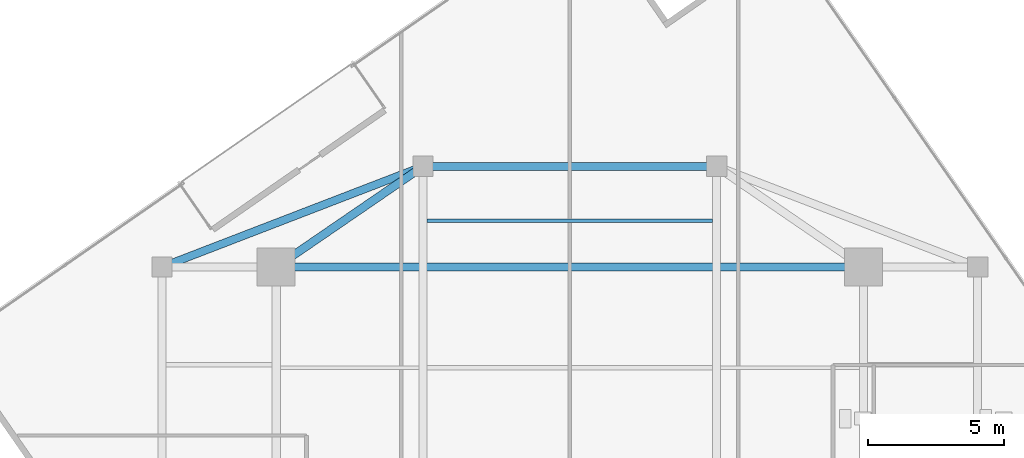
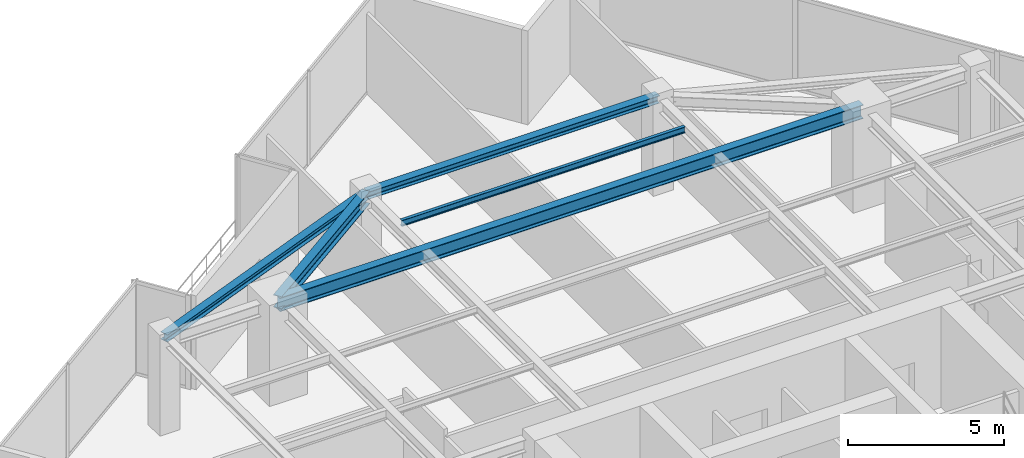
# One storey, part 13 of 21: 5 beams.
"""IFC4 building model written with IfcOpenShell, lengths in metres."""

from ifc_helpers import new_model, si_unit, direction, frame, origin, origin_2d, place, context, subcontext, project, spatial, i_section, extrude, source, transform, mapped, material, material_profile, profile_set, type_object, type_shapes, element, save


model = new_model("IFC4")

# Units and contexts
model_context = context("Model", 3, precision=1e-05, world=origin(), true_north=direction((0.0, 1.0)))
body_context = subcontext(model_context, "Body", "Model", "MODEL_VIEW")
ifc_project = project(units=[si_unit("LENGTHUNIT", "METRE"), si_unit("AREAUNIT", "SQUARE_METRE"), si_unit("VOLUMEUNIT", "CUBIC_METRE"), si_unit("PLANEANGLEUNIT", "RADIAN"), si_unit("MASSUNIT", "GRAM", prefix="KILO")], contexts=[model_context])

# Site, building, storey
site_placement = place(None, origin())
site = spatial("IfcSite", under=ifc_project, at=site_placement, CompositionType="ELEMENT")
building_placement = place(site_placement, origin())
building = spatial("IfcBuilding", under=site, at=building_placement, Name="Krantzveldt Concourse Tower", CompositionType="ELEMENT")
storey_placement = place(building_placement, frame((0.0, 0.0, 279.25)))
storey = spatial("IfcBuildingStorey", under=building, at=storey_placement, Name="L68", CompositionType="ELEMENT", Elevation=279.25)

# Beams
ifc_material = material(Name="Steel S355JR", Category="steel")
ifc_material_profile_1 = material_profile(ifc_material, i_section(OverallWidth=0.300048828125, OverallDepth=0.489990234375, WebThickness=0.011962890625, FlangeThickness=0.02294921875, FilletRadius=0.027099609375, at=origin_2d()), Name="Steel S355JR", Category="steel")
ifc_profile_set_1 = profile_set([ifc_material_profile_1], Name="Steel S355JR - HEA 500")
beam_type_1 = type_object("IfcBeamType", Name="BM-B-HEA500", PredefinedType="BEAM", material=ifc_profile_set_1)
shared_shape_1 = source(origin(), body_context, "Body", "SweptSolid", [
    extrude(i_section(OverallWidth=0.300048828125, OverallDepth=0.489990234375, WebThickness=0.011962890625, FlangeThickness=0.02294921875, FilletRadius=0.027099609375, at=origin_2d()), origin(), (0.0, 0.0, 1.0), 6.546142578125),
])
type_shapes(beam_type_1, [shared_shape_1])
beam_1_placement = place(storey_placement, frame((25.199951171875, 37.5, 3.425048828125), z_axis=(0.824942999484, 0.565215930068, 0.0), x_axis=(-0.565215930068, 0.824942999484, 0.0)))
element("IfcBeam", 1, at=beam_1_placement, inside=storey, type_object=beam_type_1, Name="L68 Tower Girder BR-RL4", PredefinedType="BEAM", context=body_context, shape_type="MappedRepresentation", body=[
    mapped(shared_shape_1, transform((0.0, 0.0, 0.0), x_axis=(1.0, 0.0, 0.0), y_axis=(0.0, 1.0, 0.0), z_axis=(0.0, 0.0, 1.0), scale=1.0)),
])
ifc_material_profile_2 = material_profile(ifc_material, i_section(OverallWidth=0.300048828125, OverallDepth=0.5400390625, WebThickness=0.012451171875, FlangeThickness=0.02392578125, FilletRadius=0.027099609375, at=origin_2d()), Name="Steel S355JR", Category="steel")
ifc_profile_set_2 = profile_set([ifc_material_profile_2], Name="Steel S355JR - HEA 550")
beam_type_2 = type_object("IfcBeamType", Name="BM-B-HEA550", PredefinedType="BEAM", material=ifc_profile_set_2)
shared_shape_2 = source(origin(), body_context, "Body", "SweptSolid", [
    extrude(i_section(OverallWidth=0.300048828125, OverallDepth=0.5400390625, WebThickness=0.012451171875, FlangeThickness=0.02392578125, FilletRadius=0.027099609375, at=origin_2d()), origin(), (0.0, 0.0, 1.0), 21.60009765625),
])
type_shapes(beam_type_2, [shared_shape_2])
beam_2_placement = place(storey_placement, frame((25.199951171875, 37.5, 3.39990234375), z_axis=(1.0, 0.0, 0.0), x_axis=(0.0, 1.0, 0.0)))
element("IfcBeam", 2, at=beam_2_placement, inside=storey, type_object=beam_type_2, Name="L68 Tower Girder BG-MN", PredefinedType="BEAM", context=body_context, shape_type="MappedRepresentation", body=[
    mapped(shared_shape_2, transform((0.0, 0.0, 0.0), x_axis=(1.0, 0.0, 0.0), y_axis=(0.0, 1.0, 0.0), z_axis=(0.0, 0.0, 1.0), scale=1.0)),
])
ifc_material_profile_3 = material_profile(ifc_material, i_section(OverallWidth=0.2900390625, OverallDepth=0.2900390625, WebThickness=0.008544921875, FlangeThickness=0.013916015625, FilletRadius=0.027099609375, at=origin_2d()), Name="Steel S355JR", Category="steel")
ifc_profile_set_3 = profile_set([ifc_material_profile_3], Name="Steel S355JR - HEA 300")
beam_type_3 = type_object("IfcBeamType", Name="BM-SP-HEA300", PredefinedType="SPANDREL", material=ifc_profile_set_3)
shared_shape_3 = source(origin(), body_context, "Body", "SweptSolid", [
    extrude(i_section(OverallWidth=0.2900390625, OverallDepth=0.2900390625, WebThickness=0.008544921875, FlangeThickness=0.013916015625, FilletRadius=0.027099609375, at=origin_2d()), origin(), (0.0, 0.0, 1.0), 10.288330078125),
])
beam_3_placement = place(storey_placement, frame((21.0, 37.5, 3.52490234375), z_axis=(0.933097690408, 0.359622997257, 0.0), x_axis=(-0.359622997257, 0.933097690408, 0.0)))
element("IfcBeam", 3, at=beam_3_placement, inside=storey, type_object=beam_type_3, Name="L68 Tower Girder SP-R03", PredefinedType="SPANDREL", context=body_context, shape_type="MappedRepresentation", body=[
    mapped(shared_shape_3, transform((0.0, 0.0, 0.0), x_axis=(1.0, 0.0, 0.0), y_axis=(0.0, 1.0, 0.0), z_axis=(0.0, 0.0, 1.0), scale=1.0)),
])
shared_shape_4 = source(origin(), body_context, "Body", "SweptSolid", [
    extrude(i_section(OverallWidth=0.2900390625, OverallDepth=0.2900390625, WebThickness=0.008544921875, FlangeThickness=0.013916015625, FilletRadius=0.027099609375, at=origin_2d()), origin(), (0.0, 0.0, 1.0), 10.7998046875),
])
type_shapes(beam_type_3, [shared_shape_3, shared_shape_4])
beam_4_placement = place(storey_placement, frame((30.60009765625, 41.199951171875, 3.52490234375), z_axis=(1.0, 0.0, 0.0), x_axis=(0.0, 1.0, 0.0)))
element("IfcBeam", 4, at=beam_4_placement, inside=storey, type_object=beam_type_3, Name="L68 Tower Girder SP-R04", PredefinedType="SPANDREL", context=body_context, shape_type="MappedRepresentation", body=[
    mapped(shared_shape_4, transform((0.0, 0.0, 0.0), x_axis=(1.0, 0.0, 0.0), y_axis=(0.0, 1.0, 0.0), z_axis=(0.0, 0.0, 1.0), scale=1.0)),
])
ifc_material_profile_4 = material_profile(ifc_material, i_section(OverallWidth=0.1201171875, OverallDepth=0.239990234375, WebThickness=0.006103515625, FlangeThickness=0.009765625, FilletRadius=0.014892578125, at=origin_2d()), Name="Steel S355JR", Category="steel")
ifc_profile_set_4 = profile_set([ifc_material_profile_4], Name="Steel S355JR - IPE 240")
beam_type_4 = type_object("IfcBeamType", Name="BM-LN-IPE240", PredefinedType="LINTEL", material=ifc_profile_set_4)
shared_shape_5 = source(origin(), body_context, "Body", "SweptSolid", [
    extrude(i_section(OverallWidth=0.1201171875, OverallDepth=0.239990234375, WebThickness=0.006103515625, FlangeThickness=0.009765625, FilletRadius=0.014892578125, at=origin_2d()), origin(), (0.0, 0.0, 1.0), 10.5),
])
type_shapes(beam_type_4, [shared_shape_5])
beam_5_placement = place(storey_placement, frame((30.75, 39.199951171875, 3.550048828125), z_axis=(1.0, 0.0, 0.0), x_axis=(0.0, 1.0, 0.0)))
element("IfcBeam", 5, at=beam_5_placement, inside=storey, type_object=beam_type_4, Name="L68 Secondary Floor Joist JN-C3", PredefinedType="LINTEL", context=body_context, shape_type="MappedRepresentation", body=[
    mapped(shared_shape_5, transform((0.0, 0.0, 0.0), x_axis=(1.0, 0.0, 0.0), y_axis=(0.0, 1.0, 0.0), z_axis=(0.0, 0.0, 1.0), scale=1.0)),
])

save(model, "model.ifc")
